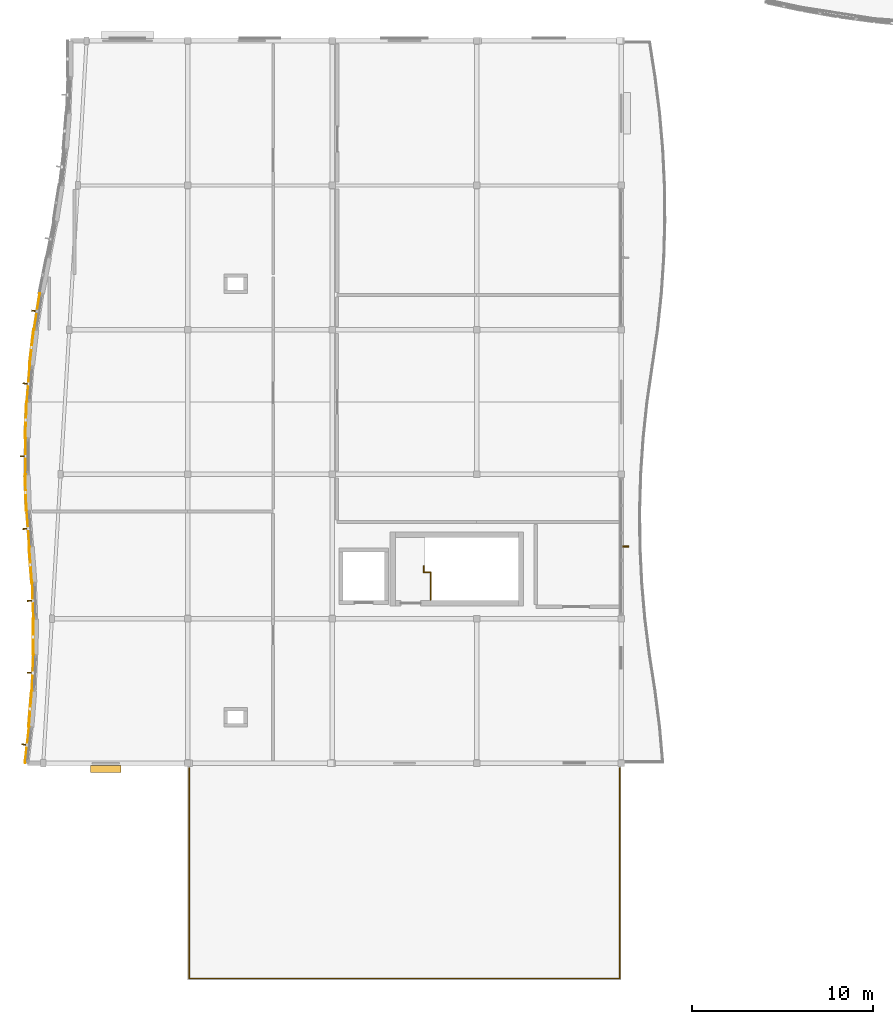
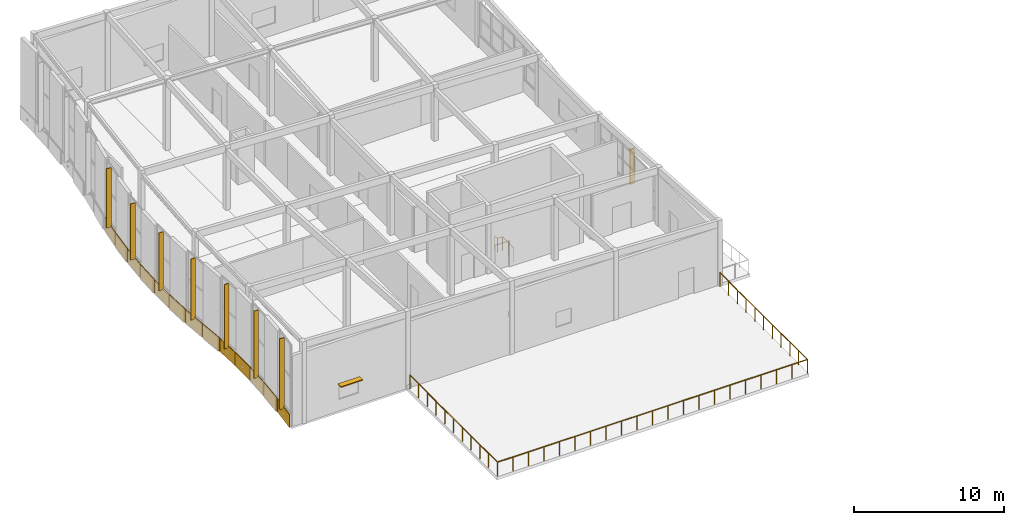
# One storey, part 42 of 52: 13 coverings, 9 shading devices, 2 railings.
"""IFC4 building model written with IfcOpenShell, lengths in metres."""

from ifc_helpers import new_model, si_unit, direction, frame, origin, origin_2d, place, context, subcontext, project, spatial, polyline, rectangle, circle, outline, extrude, material, layer, layer_set, type_object, element, save


model = new_model("IFC4")

# Units and contexts
model_context = context("Model", 3, precision=1e-05, world=origin(), true_north=direction((0.0, 1.0)))
body_context = subcontext(model_context, "Body", "Model", "MODEL_VIEW")
ifc_project = project(units=[si_unit("LENGTHUNIT", "METRE"), si_unit("AREAUNIT", "SQUARE_METRE"), si_unit("VOLUMEUNIT", "CUBIC_METRE"), si_unit("PLANEANGLEUNIT", "RADIAN"), si_unit("MASSUNIT", "GRAM", prefix="KILO")], contexts=[model_context])

# Site, building, storey
site_placement = place(None, origin())
site = spatial("IfcSite", under=ifc_project, at=site_placement, CompositionType="ELEMENT")
building_placement = place(site_placement, origin())
building = spatial("IfcBuilding", under=site, at=building_placement, Name="Tonlespit Floodbar School", CompositionType="ELEMENT")
storey_placement = place(building_placement, frame((0.0, 0.0, 12.300048828125)))
storey = spatial("IfcBuildingStorey", under=building, at=storey_placement, Name="L03", CompositionType="ELEMENT", Elevation=12.300048828125)

# Railing
ifc_material_1 = material(Name="Galvanised Steel", Category="steel")
railing_type_1 = type_object("IfcRailingType", Name="Balustrade_Ext_1150", PredefinedType="BALUSTRADE", material=ifc_material_1)
railing_1_placement = place(storey_placement, frame((35.919921875, 55.73876953125, 0.0)))
element("IfcRailing", 1, at=railing_1_placement, inside=storey, type_object=railing_type_1, Name="L03 terrace balustrade 027", PredefinedType="BALUSTRADE", context=body_context, shape_type="SweptSolid", body=[
    extrude(circle(Radius=0.02392578125, at=origin_2d()), frame((0.0, 0.0, 1.1259765625), z_axis=(0.0, -1.0, 0.0), x_axis=(1.0, 0.0, 0.0)), (0.0, 0.0, 1.0), 11.658203125),
    extrude(circle(Radius=0.02392578125, at=origin_2d()), frame((0.0, -11.658203125, 1.1259765625), z_axis=(-0.99999999979, -2.048215e-05, 0.0), x_axis=(2.048215e-05, -0.99999999979, 0.0)), (0.0, 0.0, 1.0), 23.83935546875),
    extrude(circle(Radius=0.02392578125, at=origin_2d()), frame((-23.83935546875, -11.65869140625, 1.1259765625), z_axis=(-4.1881308e-05, 0.999999999123, 0.0), x_axis=(-0.999999999123, -4.1881308e-05, 0.0)), (0.0, 0.0, 1.0), 11.65869140625),
    extrude(circle(Radius=0.02099609375, at=origin_2d()), origin(), (0.0, 0.0, 1.0), 1.101806640625),
    extrude(circle(Radius=0.02099609375, at=origin_2d()), frame((0.0, -1.165771484375, 0.0)), (0.0, 0.0, 1.0), 1.101806640625),
    extrude(circle(Radius=0.02099609375, at=origin_2d()), frame((0.0, -2.33154296875, 0.0)), (0.0, 0.0, 1.0), 1.101806640625),
    extrude(circle(Radius=0.02099609375, at=origin_2d()), frame((0.0, -3.49755859375, 0.0)), (0.0, 0.0, 1.0), 1.101806640625),
    extrude(circle(Radius=0.02099609375, at=origin_2d()), frame((0.0, -4.663330078125, 0.0)), (0.0, 0.0, 1.0), 1.101806640625),
    extrude(circle(Radius=0.02099609375, at=origin_2d()), frame((0.0, -5.8291015625, 0.0)), (0.0, 0.0, 1.0), 1.101806640625),
    extrude(circle(Radius=0.02099609375, at=origin_2d()), frame((0.0, -6.994873046875, 0.0)), (0.0, 0.0, 1.0), 1.101806640625),
    extrude(circle(Radius=0.02099609375, at=origin_2d()), frame((0.0, -8.16064453125, 0.0)), (0.0, 0.0, 1.0), 1.101806640625),
    extrude(circle(Radius=0.02099609375, at=origin_2d()), frame((0.0, -9.32666015625, 0.0)), (0.0, 0.0, 1.0), 1.101806640625),
    extrude(circle(Radius=0.02099609375, at=origin_2d()), frame((0.0, -10.492431640625, 0.0)), (0.0, 0.0, 1.0), 1.101806640625),
    extrude(circle(Radius=0.02099609375, at=origin_2d()), frame((0.0, -11.658203125, 0.0)), (0.0, 0.0, 1.0), 1.101806640625),
    extrude(circle(Radius=0.02099609375, at=origin_2d()), frame((-1.19189453125, -11.658203125, 0.0)), (0.0, 0.0, 1.0), 1.101806640625),
    extrude(circle(Radius=0.02099609375, at=origin_2d()), frame((-2.384033203125, -11.658203125, 0.0)), (0.0, 0.0, 1.0), 1.101806640625),
    extrude(circle(Radius=0.02099609375, at=origin_2d()), frame((-3.575927734375, -11.658203125, 0.0)), (0.0, 0.0, 1.0), 1.101806640625),
    extrude(circle(Radius=0.02099609375, at=origin_2d()), frame((-4.767822265625, -11.658203125, 0.0)), (0.0, 0.0, 1.0), 1.101806640625),
    extrude(circle(Radius=0.02099609375, at=origin_2d()), frame((-5.9599609375, -11.658203125, 0.0)), (0.0, 0.0, 1.0), 1.101806640625),
    extrude(circle(Radius=0.02099609375, at=origin_2d()), frame((-7.15185546875, -11.658447265625, 0.0)), (0.0, 0.0, 1.0), 1.101806640625),
    extrude(circle(Radius=0.02099609375, at=origin_2d()), frame((-8.34375, -11.658447265625, 0.0)), (0.0, 0.0, 1.0), 1.101806640625),
    extrude(circle(Radius=0.02099609375, at=origin_2d()), frame((-9.53564453125, -11.658447265625, 0.0)), (0.0, 0.0, 1.0), 1.101806640625),
    extrude(circle(Radius=0.02099609375, at=origin_2d()), frame((-10.727783203125, -11.658447265625, 0.0)), (0.0, 0.0, 1.0), 1.101806640625),
    extrude(circle(Radius=0.02099609375, at=origin_2d()), frame((-11.919677734375, -11.658447265625, 0.0)), (0.0, 0.0, 1.0), 1.101806640625),
    extrude(circle(Radius=0.02099609375, at=origin_2d()), frame((-13.111572265625, -11.658447265625, 0.0)), (0.0, 0.0, 1.0), 1.101806640625),
    extrude(circle(Radius=0.02099609375, at=origin_2d()), frame((-14.3037109375, -11.658447265625, 0.0)), (0.0, 0.0, 1.0), 1.101806640625),
    extrude(circle(Radius=0.02099609375, at=origin_2d()), frame((-15.49560546875, -11.658447265625, 0.0)), (0.0, 0.0, 1.0), 1.101806640625),
    extrude(circle(Radius=0.02099609375, at=origin_2d()), frame((-16.6875, -11.658447265625, 0.0)), (0.0, 0.0, 1.0), 1.101806640625),
    extrude(circle(Radius=0.02099609375, at=origin_2d()), frame((-17.87939453125, -11.65869140625, 0.0)), (0.0, 0.0, 1.0), 1.101806640625),
    extrude(circle(Radius=0.02099609375, at=origin_2d()), frame((-19.071533203125, -11.65869140625, 0.0)), (0.0, 0.0, 1.0), 1.101806640625),
    extrude(circle(Radius=0.02099609375, at=origin_2d()), frame((-20.263427734375, -11.65869140625, 0.0)), (0.0, 0.0, 1.0), 1.101806640625),
    extrude(circle(Radius=0.02099609375, at=origin_2d()), frame((-21.455322265625, -11.65869140625, 0.0)), (0.0, 0.0, 1.0), 1.101806640625),
    extrude(circle(Radius=0.02099609375, at=origin_2d()), frame((-22.6474609375, -11.65869140625, 0.0)), (0.0, 0.0, 1.0), 1.101806640625),
    extrude(circle(Radius=0.02099609375, at=origin_2d()), frame((-23.83935546875, -11.65869140625, 0.0)), (0.0, 0.0, 1.0), 1.101806640625),
    extrude(circle(Radius=0.02099609375, at=origin_2d()), frame((-23.83935546875, -10.492919921875, 0.0)), (0.0, 0.0, 1.0), 1.101806640625),
    extrude(circle(Radius=0.02099609375, at=origin_2d()), frame((-23.83935546875, -9.326904296875, 0.0)), (0.0, 0.0, 1.0), 1.101806640625),
    extrude(circle(Radius=0.02099609375, at=origin_2d()), frame((-23.839599609375, -8.1611328125, 0.0)), (0.0, 0.0, 1.0), 1.101806640625),
    extrude(circle(Radius=0.02099609375, at=origin_2d()), frame((-23.839599609375, -6.9951171875, 0.0)), (0.0, 0.0, 1.0), 1.101806640625),
    extrude(circle(Radius=0.02099609375, at=origin_2d()), frame((-23.839599609375, -5.829345703125, 0.0)), (0.0, 0.0, 1.0), 1.101806640625),
    extrude(circle(Radius=0.02099609375, at=origin_2d()), frame((-23.839599609375, -4.66357421875, 0.0)), (0.0, 0.0, 1.0), 1.101806640625),
    extrude(circle(Radius=0.02099609375, at=origin_2d()), frame((-23.839599609375, -3.49755859375, 0.0)), (0.0, 0.0, 1.0), 1.101806640625),
    extrude(circle(Radius=0.02099609375, at=origin_2d()), frame((-23.83984375, -2.331787109375, 0.0)), (0.0, 0.0, 1.0), 1.101806640625),
    extrude(circle(Radius=0.02099609375, at=origin_2d()), frame((-23.83984375, -1.165771484375, 0.0)), (0.0, 0.0, 1.0), 1.101806640625),
    extrude(circle(Radius=0.02099609375, at=origin_2d()), frame((-23.83984375, 0.0, 0.0)), (0.0, 0.0, 1.0), 1.101806640625),
])

# Coverings
ifc_material_2 = material(Name="White Architectural Aluminium", Category="aluminium")
ifc_layer_1 = layer(ifc_material_2, 0.050048828125)
ifc_layer_set_1 = layer_set([ifc_layer_1], Name="White Architectural Aluminium")
covering_type = type_object("IfcCoveringType", Name="Cladding_WhiteBand_50", PredefinedType="CLADDING", material=ifc_layer_set_1)
covering_1_placement = place(storey_placement, frame((0.0, 0.0, -0.1201171875)))
element("IfcCovering", 2, at=covering_1_placement, inside=storey, type_object=covering_type, Name="L03 curved white spandrel cladding 0569", PredefinedType="CLADDING", context=body_context, shape_type="SweptSolid", body=[
    extrude(outline(polyline([(3.015625, 56.01171875), (3.251220703125, 58.01171875), (3.20166015625, 58.017578125), (2.966064453125, 56.017578125), (3.015625, 56.01171875)])), origin(), (0.0, 0.0, 1.0), 1.070068359375),
])
covering_2_placement = place(storey_placement, frame((0.0, 0.0, -0.1201171875)))
element("IfcCovering", 3, at=covering_2_placement, inside=storey, type_object=covering_type, Name="L03 curved white spandrel cladding 0570", PredefinedType="CLADDING", context=body_context, shape_type="SweptSolid", body=[
    extrude(outline(polyline([(3.220947265625, 58.01025390625), (3.37939453125, 60.01025390625), (3.32958984375, 60.014404296875), (3.171142578125, 58.014404296875), (3.220947265625, 58.01025390625)])), origin(), (0.0, 0.0, 1.0), 1.1201171875),
])
covering_3_placement = place(storey_placement, frame((0.0, 0.0, -0.1201171875)))
element("IfcCovering", 4, at=covering_3_placement, inside=storey, type_object=covering_type, Name="L03 curved white spandrel cladding 0571", PredefinedType="CLADDING", context=body_context, shape_type="SweptSolid", body=[
    extrude(outline(polyline([(3.4091796875, 60.004150390625), (3.49072265625, 62.004150390625), (3.440673828125, 62.006103515625), (3.359130859375, 60.006103515625), (3.4091796875, 60.004150390625)])), origin(), (0.0, 0.0, 1.0), 1.070068359375),
])
covering_4_placement = place(storey_placement, frame((0.0, 0.0, -0.1201171875)))
element("IfcCovering", 5, at=covering_4_placement, inside=storey, type_object=covering_type, Name="L03 curved white spandrel cladding 0572", PredefinedType="CLADDING", context=body_context, shape_type="SweptSolid", body=[
    extrude(outline(polyline([(3.460693359375, 62.000244140625), (3.465087890625, 64.000244140625), (3.4150390625, 64.00048828125), (3.41064453125, 62.00048828125), (3.460693359375, 62.000244140625)])), origin(), (0.0, 0.0, 1.0), 1.1201171875),
])
covering_5_placement = place(storey_placement, frame((0.0, 0.0, -0.1201171875)))
element("IfcCovering", 6, at=covering_5_placement, inside=storey, type_object=covering_type, Name="L03 curved white spandrel cladding 0573", PredefinedType="CLADDING", context=body_context, shape_type="SweptSolid", body=[
    extrude(outline(polyline([(3.4951171875, 63.996337890625), (3.421875, 65.996337890625), (3.371826171875, 65.994384765625), (3.445068359375, 63.994384765625), (3.4951171875, 63.996337890625)])), origin(), (0.0, 0.0, 1.0), 1.070068359375),
])
covering_6_placement = place(storey_placement, frame((0.0, 0.0, -0.1201171875)))
element("IfcCovering", 7, at=covering_6_placement, inside=storey, type_object=covering_type, Name="L03 curved white spandrel cladding 0574", PredefinedType="CLADDING", context=body_context, shape_type="SweptSolid", body=[
    extrude(outline(polyline([(3.39208984375, 65.990234375), (3.240478515625, 67.990234375), (3.1904296875, 67.986328125), (3.34228515625, 65.986328125), (3.39208984375, 65.990234375)])), origin(), (0.0, 0.0, 1.0), 1.1201171875),
])
covering_7_placement = place(storey_placement, frame((0.0, 0.0, -0.1201171875)))
element("IfcCovering", 8, at=covering_7_placement, inside=storey, type_object=covering_type, Name="L03 curved white spandrel cladding 0575", PredefinedType="CLADDING", context=body_context, shape_type="SweptSolid", body=[
    extrude(outline(polyline([(3.270263671875, 67.992431640625), (3.118408203125, 69.992431640625), (3.068603515625, 69.988525390625), (3.220458984375, 67.988525390625), (3.270263671875, 67.992431640625)])), origin(), (0.0, 0.0, 1.0), 1.070068359375),
])
covering_8_placement = place(storey_placement, frame((0.0, 0.0, -0.1201171875)))
element("IfcCovering", 9, at=covering_8_placement, inside=storey, type_object=covering_type, Name="L03 curved white spandrel cladding 0576", PredefinedType="CLADDING", context=body_context, shape_type="SweptSolid", body=[
    extrude(outline(polyline([(3.08837890625, 69.9951171875), (3.01513671875, 71.9951171875), (2.965087890625, 71.993408203125), (3.038330078125, 69.993408203125), (3.08837890625, 69.9951171875)])), origin(), (0.0, 0.0, 1.0), 1.1201171875),
])
covering_9_placement = place(storey_placement, frame((0.0, 0.0, -0.1201171875)))
element("IfcCovering", 10, at=covering_9_placement, inside=storey, type_object=covering_type, Name="L03 curved white spandrel cladding 0577", PredefinedType="CLADDING", context=body_context, shape_type="SweptSolid", body=[
    extrude(outline(polyline([(3.044921875, 72.000244140625), (3.04931640625, 74.000244140625), (2.99951171875, 74.000244140625), (2.9951171875, 72.000244140625), (3.044921875, 72.000244140625)])), origin(), (0.0, 0.0, 1.0), 1.070068359375),
])
covering_10_placement = place(storey_placement, frame((0.0, 0.0, -0.1201171875)))
element("IfcCovering", 11, at=covering_10_placement, inside=storey, type_object=covering_type, Name="L03 curved white spandrel cladding 0578", PredefinedType="CLADDING", context=body_context, shape_type="SweptSolid", body=[
    extrude(outline(polyline([(3.01953125, 74.00537109375), (3.10107421875, 76.00537109375), (3.051025390625, 76.00732421875), (2.969482421875, 74.00732421875), (3.01953125, 74.00537109375)])), origin(), (0.0, 0.0, 1.0), 1.1201171875),
])
covering_11_placement = place(storey_placement, frame((0.0, 0.0, -0.1201171875)))
element("IfcCovering", 12, at=covering_11_placement, inside=storey, type_object=covering_type, Name="L03 curved white spandrel cladding 0579", PredefinedType="CLADDING", context=body_context, shape_type="SweptSolid", body=[
    extrude(outline(polyline([(3.131103515625, 76.0078125), (3.289794921875, 78.0078125), (3.239990234375, 78.011962890625), (3.081298828125, 76.011962890625), (3.131103515625, 76.0078125)])), origin(), (0.0, 0.0, 1.0), 1.070068359375),
])
covering_12_placement = place(storey_placement, frame((0.0, 0.0, -0.1201171875)))
element("IfcCovering", 13, at=covering_12_placement, inside=storey, type_object=covering_type, Name="L03 curved white spandrel cladding 0580", PredefinedType="CLADDING", context=body_context, shape_type="SweptSolid", body=[
    extrude(outline(polyline([(3.26025390625, 78.01513671875), (3.495849609375, 80.01513671875), (3.4462890625, 80.02099609375), (3.210693359375, 78.02099609375), (3.26025390625, 78.01513671875)])), origin(), (0.0, 0.0, 1.0), 1.1201171875),
])
covering_13_placement = place(storey_placement, frame((0.0, 0.0, -0.1201171875)))
element("IfcCovering", 14, at=covering_13_placement, inside=storey, type_object=covering_type, Name="L03 curved white spandrel cladding 0581", PredefinedType="CLADDING", context=body_context, shape_type="SweptSolid", body=[
    extrude(outline(polyline([(3.526123046875, 80.015380859375), (3.83935546875, 82.015380859375), (3.7900390625, 82.023193359375), (3.476806640625, 80.023193359375), (3.526123046875, 80.015380859375)])), origin(), (0.0, 0.0, 1.0), 1.070068359375),
])

# Railing
railing_type_2 = type_object("IfcRailingType", Name="Guard_Int_1150", PredefinedType="BALUSTRADE", material=ifc_material_1)
railing_2_placement = place(storey_placement, frame((25.449951171875, 65.050048828125, 0.0)))
element("IfcRailing", 15, at=railing_2_placement, inside=storey, type_object=railing_type_2, Name="L03 ST-C3 top well guard 1", PredefinedType="BALUSTRADE", context=body_context, shape_type="SweptSolid", body=[
    extrude(circle(Radius=0.02392578125, at=origin_2d()), frame((0.0, 0.0, 1.1259765625), z_axis=(0.0, 1.0, 0.0), x_axis=(-1.0, 0.0, 0.0)), (0.0, 0.0, 1.0), 1.52001953125),
    extrude(circle(Radius=0.02392578125, at=origin_2d()), frame((0.0, 1.52001953125, 1.1259765625), z_axis=(-1.0, 0.0, 0.0), x_axis=(0.0, -1.0, 0.0)), (0.0, 0.0, 1.0), 0.3798828125),
    extrude(circle(Radius=0.02392578125, at=origin_2d()), frame((-0.3798828125, 1.52001953125, 1.1259765625), z_axis=(0.0, 1.0, 0.0), x_axis=(-1.0, 0.0, 0.0)), (0.0, 0.0, 1.0), 0.349853515625),
    extrude(circle(Radius=0.02099609375, at=origin_2d()), origin(), (0.0, 0.0, 1.0), 1.101806640625),
    extrude(circle(Radius=0.02099609375, at=origin_2d()), frame((0.0, 0.760009765625, 0.0)), (0.0, 0.0, 1.0), 1.101806640625),
    extrude(circle(Radius=0.02099609375, at=origin_2d()), frame((0.0, 1.52001953125, 0.0)), (0.0, 0.0, 1.0), 1.101806640625),
    extrude(circle(Radius=0.02099609375, at=origin_2d()), frame((-0.3798828125, 1.52001953125, 0.0)), (0.0, 0.0, 1.0), 1.101806640625),
    extrude(circle(Radius=0.02099609375, at=origin_2d()), frame((-0.3798828125, 1.869873046875, 0.0)), (0.0, 0.0, 1.0), 1.101806640625),
])

# Shading devices
ifc_material_3 = material(Name="Anodised Aluminium", Category="aluminium")
ifc_layer_2 = layer(ifc_material_3, 0.080078125)
ifc_layer_set_2 = layer_set([ifc_layer_2], Name="Anodised Aluminium")
shading_device_type_1 = type_object("IfcShadingDeviceType", Name="Shading_MonsoonJalousie_400", PredefinedType="JALOUSIE", material=ifc_layer_set_2)
shading_device_1_placement = place(storey_placement, frame((7.467529296875, 55.681884765625, 2.169921875), z_axis=(0.0, 0.0, 1.0), x_axis=(-1.0, 0.0, 0.0)))
element("IfcShadingDevice", 16, at=shading_device_1_placement, inside=storey, type_object=shading_device_type_1, Name="L03 monsoon jalousie 184", PredefinedType="JALOUSIE", context=body_context, shape_type="SweptSolid", body=[
    extrude(rectangle(XDim=1.699951171875, YDim=0.39990234375, at=origin_2d()), origin(), (0.0, 0.0, 1.0), 0.080078125),
])
ifc_material_4 = material(Name="Terracotta Anodised Aluminium", Category="masonry")
ifc_layer_3 = layer(ifc_material_4, 0.06005859375)
ifc_layer_set_3 = layer_set([ifc_layer_3], Name="Terracotta Anodised Aluminium")
shading_device_type_2 = type_object("IfcShadingDeviceType", Name="Shading_SolarFin_350", PredefinedType="USERDEFINED", material=ifc_layer_set_3)
shading_device_2_placement = place(storey_placement, frame((2.974609375, 57.030517578125, 0.800048828125), z_axis=(0.0, 0.0, 1.0), x_axis=(0.116991411823, 0.99313292643, 0.0)))
element("IfcShadingDevice", 17, at=shading_device_2_placement, inside=storey, type_object=shading_device_type_2, Name="L03 vertical solar fin 170", ObjectType="SOLAR FIN", PredefinedType="USERDEFINED", context=body_context, shape_type="SweptSolid", body=[
    extrude(rectangle(XDim=0.06005859375, YDim=0.35009765625, at=origin_2d()), origin(), (0.0, 0.0, 1.0), 5.7548828125),
])
shading_device_3_placement = place(storey_placement, frame((3.2900390625, 61.010498046875, 0.800048828125), z_axis=(0.0, 0.0, 1.0), x_axis=(0.040715999914, 0.999170759856, 0.0)))
element("IfcShadingDevice", 18, at=shading_device_3_placement, inside=storey, type_object=shading_device_type_2, Name="L03 vertical solar fin 171", ObjectType="SOLAR FIN", PredefinedType="USERDEFINED", context=body_context, shape_type="SweptSolid", body=[
    extrude(rectangle(XDim=0.06005859375, YDim=0.35009765625, at=origin_2d()), origin(), (0.0, 0.0, 1.0), 5.47998046875),
])
shading_device_4_placement = place(storey_placement, frame((3.298583984375, 64.990478515625, 0.7998046875), z_axis=(0.0, 0.0, 1.0), x_axis=(-0.036575686496, 0.999330885722, 0.0)))
element("IfcShadingDevice", 19, at=shading_device_4_placement, inside=storey, type_object=shading_device_type_2, Name="L03 vertical solar fin 172", ObjectType="SOLAR FIN", PredefinedType="USERDEFINED", context=body_context, shape_type="SweptSolid", body=[
    extrude(rectangle(XDim=0.06005859375, YDim=0.35009765625, at=origin_2d()), origin(), (0.0, 0.0, 1.0), 5.21826171875),
])
shading_device_5_placement = place(storey_placement, frame((3.034912109375, 68.980224609375, 0.800048828125), z_axis=(0.0, 0.0, 1.0), x_axis=(-0.075681836348, 0.997132017161, 0.0)))
element("IfcShadingDevice", 20, at=shading_device_5_placement, inside=storey, type_object=shading_device_type_2, Name="L03 vertical solar fin 173", ObjectType="SOLAR FIN", PredefinedType="USERDEFINED", context=body_context, shape_type="SweptSolid", body=[
    extrude(rectangle(XDim=0.06005859375, YDim=0.35009765625, at=origin_2d()), origin(), (0.0, 0.0, 1.0), 4.96630859375),
])
shading_device_6_placement = place(storey_placement, frame((2.88720703125, 73.00048828125, 0.800048828125), z_axis=(0.0, 0.0, 1.0), x_axis=(0.00220085841, 0.999997578108, 0.0)))
element("IfcShadingDevice", 21, at=shading_device_6_placement, inside=storey, type_object=shading_device_type_2, Name="L03 vertical solar fin 174", ObjectType="SOLAR FIN", PredefinedType="USERDEFINED", context=body_context, shape_type="SweptSolid", body=[
    extrude(rectangle(XDim=0.06005859375, YDim=0.35009765625, at=origin_2d()), origin(), (0.0, 0.0, 1.0), 4.70458984375),
])
shading_device_7_placement = place(storey_placement, frame((3.051025390625, 77.0205078125, 0.800048828125), z_axis=(0.0, 0.0, 1.0), x_axis=(0.079001948152, 0.996874461599, 0.0)))
element("IfcShadingDevice", 22, at=shading_device_7_placement, inside=storey, type_object=shading_device_type_2, Name="L03 vertical solar fin 175", ObjectType="SOLAR FIN", PredefinedType="USERDEFINED", context=body_context, shape_type="SweptSolid", body=[
    extrude(rectangle(XDim=0.06005859375, YDim=0.35009765625, at=origin_2d()), origin(), (0.0, 0.0, 1.0), 4.56884765625),
])
shading_device_8_placement = place(storey_placement, frame((3.524658203125, 81.040283203125, 0.7998046875), z_axis=(0.0, 0.0, 1.0), x_axis=(0.154713834929, 0.987959325722, 0.0)))
element("IfcShadingDevice", 23, at=shading_device_8_placement, inside=storey, type_object=shading_device_type_2, Name="L03 vertical solar fin 176", ObjectType="SOLAR FIN", PredefinedType="USERDEFINED", context=body_context, shape_type="SweptSolid", body=[
    extrude(rectangle(XDim=0.06005859375, YDim=0.35009765625, at=origin_2d()), origin(), (0.0, 0.0, 1.0), 4.826416015625),
])
shading_device_9_placement = place(storey_placement, frame((36.25244140625, 68.0, 0.800048828125), z_axis=(0.0, 0.0, 1.0), x_axis=(0.0, -1.0, 0.0)))
element("IfcShadingDevice", 24, at=shading_device_9_placement, inside=storey, type_object=shading_device_type_2, Name="L03 vertical solar fin 183", ObjectType="SOLAR FIN", PredefinedType="USERDEFINED", context=body_context, shape_type="SweptSolid", body=[
    extrude(rectangle(XDim=0.06005859375, YDim=0.35009765625, at=origin_2d()), origin(), (0.0, 0.0, 1.0), 2.85791015625),
])

save(model, "model.ifc")
